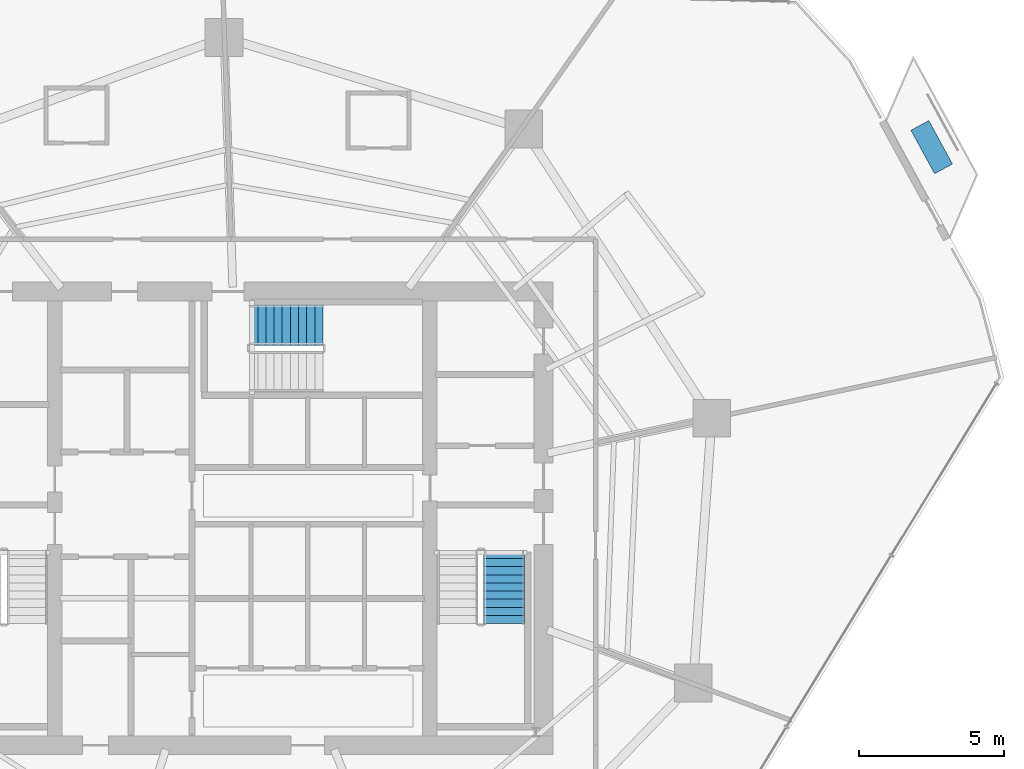
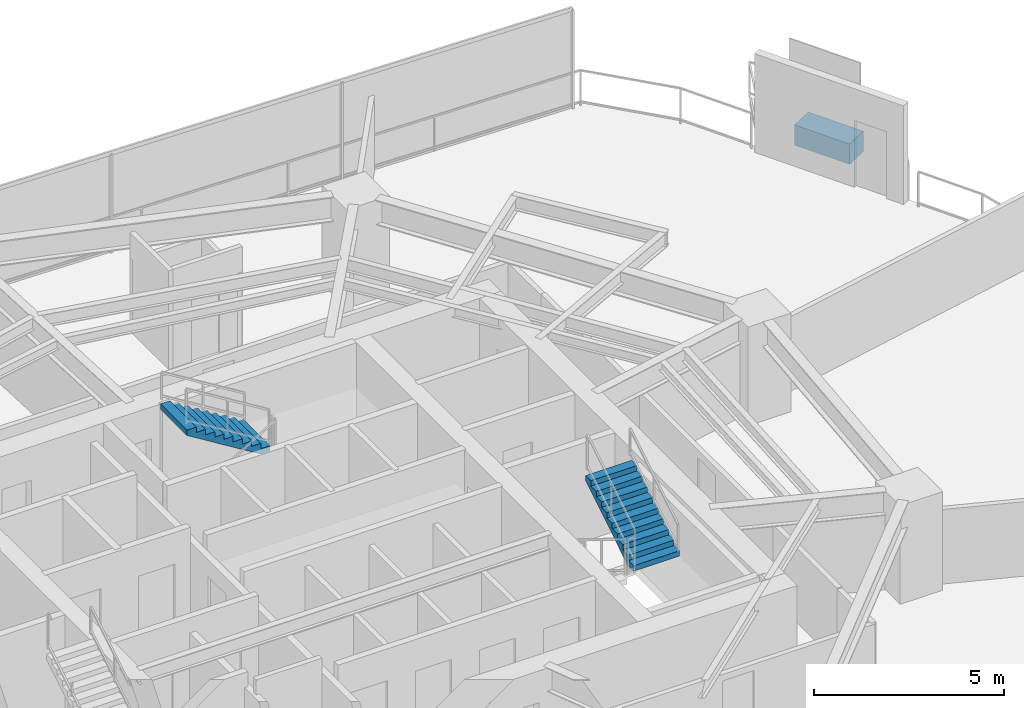
# One storey, part 26 of 30: 2 stair flights, 1 discrete accessory, 2 elements without a shape of their own.
"""IFC4 building model written with IfcOpenShell, lengths in metres."""

from ifc_helpers import new_model, si_unit, direction, frame, origin, origin_2d, place, context, subcontext, project, spatial, polyline, rectangle, outline, extrude, material, type_object, element, aggregate, save


model = new_model("IFC4")

# Units and contexts
model_context = context("Model", 3, precision=1e-05, world=origin(), true_north=direction((0.0, 1.0)))
body_context = subcontext(model_context, "Body", "Model", "MODEL_VIEW")
ifc_project = project(units=[si_unit("LENGTHUNIT", "METRE"), si_unit("AREAUNIT", "SQUARE_METRE"), si_unit("VOLUMEUNIT", "CUBIC_METRE"), si_unit("PLANEANGLEUNIT", "RADIAN"), si_unit("MASSUNIT", "GRAM", prefix="KILO")], contexts=[model_context])

# Site, building, storey
site_placement = place(None, origin())
site = spatial("IfcSite", under=ifc_project, at=site_placement, CompositionType="ELEMENT")
building_placement = place(site_placement, origin())
building = spatial("IfcBuilding", under=site, at=building_placement, Name="Qarnah Convention Tower", CompositionType="ELEMENT")
storey_placement = place(building_placement, frame((0.0, 0.0, 61.5)))
storey = spatial("IfcBuildingStorey", under=building, at=storey_placement, Name="L15", CompositionType="ELEMENT", Elevation=61.5)

# Stair, stair flight
ifc_material_1 = material(Name="Concrete C50/60", Category="concrete")
stair_type = type_object("IfcStairType", Name="STR-HTL", PredefinedType="HALF_TURN_STAIR", material=ifc_material_1)
stair_1_placement = place(storey_placement, origin())
stair_1 = element("IfcStair", 1, at=stair_1_placement, inside=storey, type_object=stair_type, Name="L15 Core exit stair ST-2", PredefinedType="HALF_TURN_STAIR")
stair_flight_type = type_object("IfcStairFlightType", Name="FLT-HTL", PredefinedType="STRAIGHT", material=ifc_material_1)
stair_flight_1_placement = place(storey_placement, frame((46.25, 22.780029296875, 1.72509765625), z_axis=(0.0, 0.0, 1.0), x_axis=(0.0, 1.0, 0.0)))
stair_flight_1 = element("IfcStairFlight", 2, at=stair_flight_1_placement, type_object=stair_flight_type, Name="ST-2 flight 2", NumberOfRisers=10, NumberOfTreads=9, PredefinedType="STRAIGHT", RiserHeight=0.1725, TreadLength=0.28, context=body_context, shape_type="SweptSolid", body=[
    extrude(outline(polyline([(0.0, 0.0), (0.0, 0.172607421875), (0.280029296875, 0.172607421875), (0.280029296875, 0.344970703125), (0.56005859375, 0.344970703125), (0.56005859375, 0.517578125), (0.840087890625, 0.517578125), (0.840087890625, 0.68994140625), (1.1201171875, 0.68994140625), (1.1201171875, 0.862548828125), (1.39990234375, 0.862548828125), (1.39990234375, 1.034912109375), (1.679931640625, 1.034912109375), (1.679931640625, 1.20751953125), (1.9599609375, 1.20751953125), (1.9599609375, 1.3798828125), (2.239990234375, 1.3798828125), (2.239990234375, 1.552490234375), (2.52001953125, 1.552490234375), (2.52001953125, 1.72509765625), (2.52001953125, 1.37646484375), (0.285888671875, 0.0), (0.0, 0.0)])), frame((0.0, 0.699951171875, 0.0), z_axis=(0.0, -1.0, 0.0), x_axis=(1.0, 0.0, 0.0)), (0.0, 0.0, 1.0), 1.39990234375),
])
aggregate(stair_1, [stair_flight_1])

stair_2_placement = place(storey_placement, origin())
stair_2 = element("IfcStair", 3, at=stair_2_placement, inside=storey, type_object=stair_type, Name="L15 Core exit stair ST-3", PredefinedType="HALF_TURN_STAIR")
stair_flight_2_placement = place(storey_placement, frame((40.02001953125, 33.050048828125, 1.72509765625), z_axis=(0.0, 0.0, 1.0), x_axis=(-1.0, 0.0, 0.0)))
stair_flight_2 = element("IfcStairFlight", 4, at=stair_flight_2_placement, type_object=stair_flight_type, Name="ST-3 flight 2", NumberOfRisers=10, NumberOfTreads=9, PredefinedType="STRAIGHT", RiserHeight=0.1725, TreadLength=0.28, context=body_context, shape_type="SweptSolid", body=[
    extrude(outline(polyline([(0.0, 0.0), (0.0, 0.172607421875), (0.280029296875, 0.172607421875), (0.280029296875, 0.344970703125), (0.56005859375, 0.344970703125), (0.56005859375, 0.517578125), (0.840087890625, 0.517578125), (0.840087890625, 0.68994140625), (1.1201171875, 0.68994140625), (1.1201171875, 0.862548828125), (1.39990234375, 0.862548828125), (1.39990234375, 1.034912109375), (1.679931640625, 1.034912109375), (1.679931640625, 1.20751953125), (1.9599609375, 1.20751953125), (1.9599609375, 1.3798828125), (2.239990234375, 1.3798828125), (2.239990234375, 1.552490234375), (2.52001953125, 1.552490234375), (2.52001953125, 1.72509765625), (2.52001953125, 1.37646484375), (0.285888671875, 0.0), (0.0, 0.0)])), frame((0.0, 0.699951171875, 0.0), z_axis=(0.0, -1.0, 0.0), x_axis=(1.0, 0.0, 0.0)), (0.0, 0.0, 1.0), 1.39990234375),
])
aggregate(stair_2, [stair_flight_2])

# Discrete accessory
ifc_material_2 = material(Name="Precast concrete C45/55", Category="concrete")
discrete_accessory_type = type_object("IfcDiscreteAccessoryType", Name="ACC-PLANTER-900", PredefinedType="USERDEFINED", material=ifc_material_2)
discrete_accessory_placement = place(storey_placement, frame((60.9541015625, 39.1640625, 0.0), z_axis=(0.0, 0.0, 1.0), x_axis=(-0.478078793588, 0.878316951403, 0.0)))
element("IfcDiscreteAccessory", 5, at=discrete_accessory_placement, inside=storey, type_object=discrete_accessory_type, Name="L15 irrigated desert balcony PLANTER BAL-L15-C1", ObjectType="PLANTER", PredefinedType="USERDEFINED", context=body_context, shape_type="SweptSolid", body=[
    extrude(rectangle(XDim=1.699951171875, YDim=0.699951171875, at=origin_2d()), origin(), (0.0, 0.0, 1.0), 0.64990234375),
])

save(model, "model.ifc")
